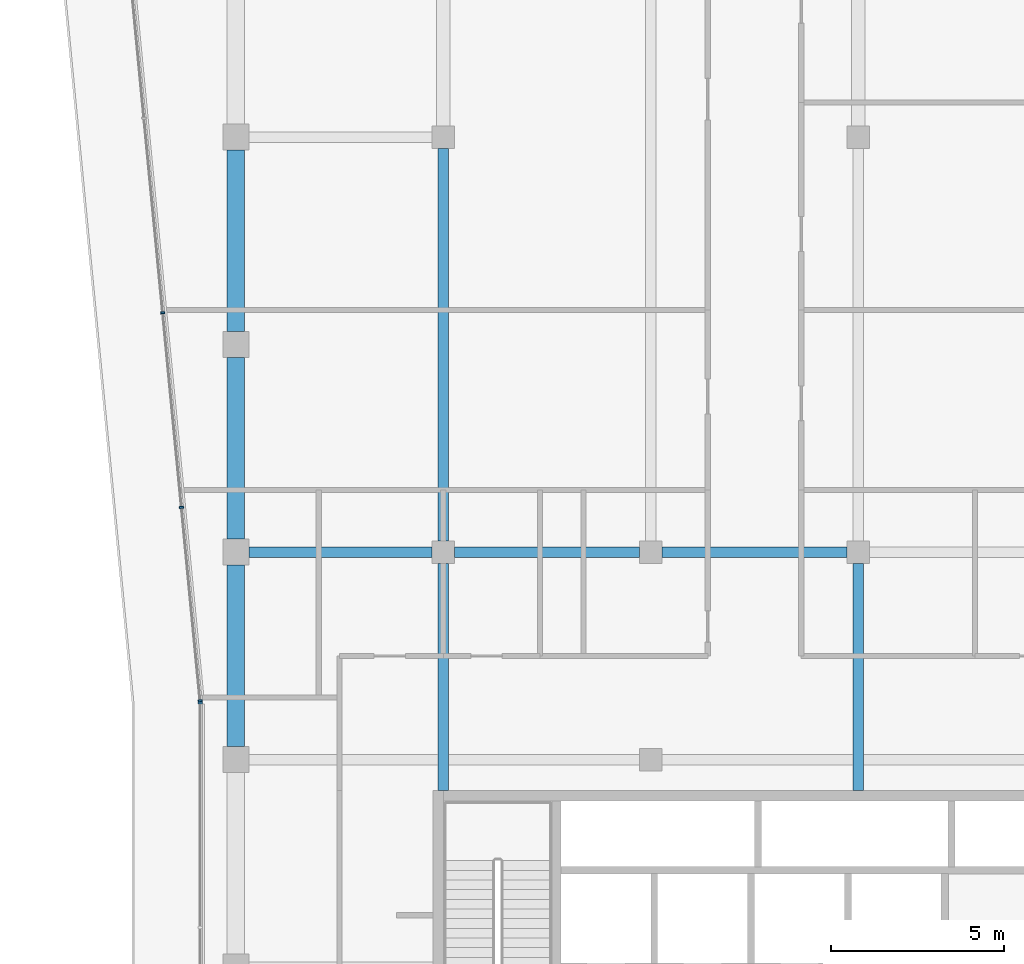
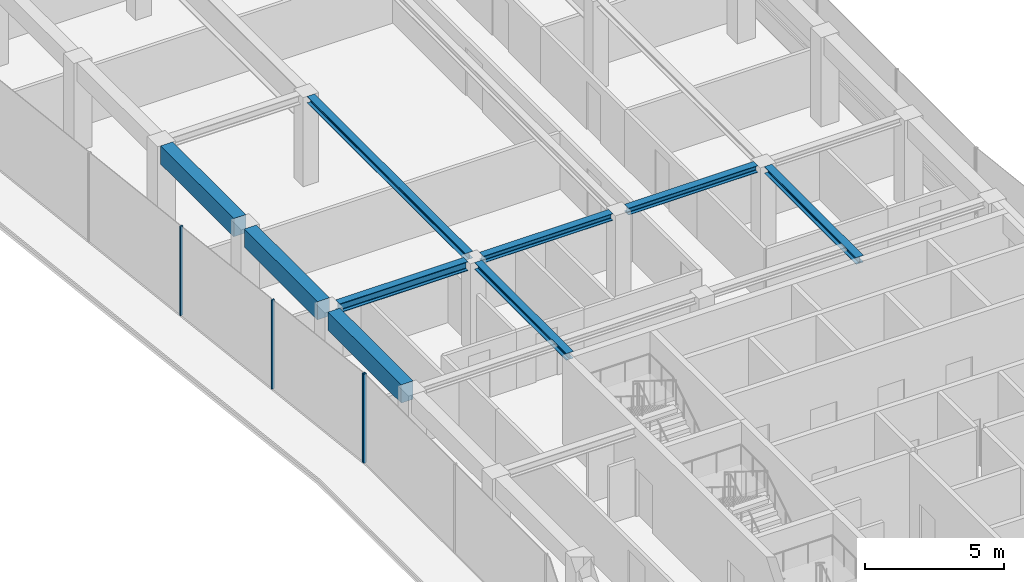
# One storey, part 7 of 22: 9 beams, 4 members, 2 elements without a shape of their own.
"""IFC4 building model written with IfcOpenShell, lengths in metres."""

from ifc_helpers import new_model, si_unit, direction, frame, origin, origin_2d, place, context, subcontext, project, spatial, rectangle, i_section, extrude, material, layer, layer_set, material_profile, profile_set, type_object, element, aggregate, save


model = new_model("IFC4")

# Units and contexts
model_context = context("Model", 3, precision=1e-05, world=origin(), true_north=direction((0.0, 1.0)))
body_context = subcontext(model_context, "Body", "Model", "MODEL_VIEW")
ifc_project = project(units=[si_unit("LENGTHUNIT", "METRE"), si_unit("AREAUNIT", "SQUARE_METRE"), si_unit("VOLUMEUNIT", "CUBIC_METRE"), si_unit("PLANEANGLEUNIT", "RADIAN"), si_unit("MASSUNIT", "GRAM", prefix="KILO")], contexts=[model_context])

# Site, building, storey
site_placement = place(None, origin())
site = spatial("IfcSite", under=ifc_project, at=site_placement, CompositionType="ELEMENT")
building_placement = place(site_placement, origin())
building = spatial("IfcBuilding", under=site, at=building_placement, Name="Welwitschia Terrace Campus", CompositionType="ELEMENT")
storey_placement = place(building_placement, frame((0.0, 0.0, 310.39990234375)))
storey = spatial("IfcBuildingStorey", under=building, at=storey_placement, Name="L69", CompositionType="ELEMENT", Elevation=310.39990234375)

# Beams
ifc_material_1 = material(Name="Steel S355", Category="steel")
ifc_material_profile_1 = material_profile(ifc_material_1, i_section(OverallWidth=0.300048828125, OverallDepth=0.300048828125, WebThickness=0.010986328125, FlangeThickness=0.01904296875, FilletRadius=0.027099609375, at=origin_2d()))
ifc_profile_set_1 = profile_set([ifc_material_profile_1], Name="Steel S355")
beam_type_1 = type_object("IfcBeamType", Name="Interior girder HE 300 B", PredefinedType="BEAM", material=ifc_profile_set_1)
for number, where, z_axis, x_axis, name in (
    (1, (6.325439453125, 32.0, 3.75), (1.0, 0.0, 0.0), (0.0, 1.0, 0.0), "Girder GB6"),
    (2, (12.325439453125, 32.0, 3.75), (1.0, 0.0, 0.0), (0.0, 1.0, 0.0), "Girder GB6"),
):
    element("IfcBeam", number, at=place(storey_placement, frame(where, z_axis=z_axis, x_axis=x_axis)), inside=storey, type_object=beam_type_1, Name=name, PredefinedType="BEAM", context=body_context, shape_type="SweptSolid", body=[
        extrude(i_section(OverallWidth=0.300048828125, OverallDepth=0.300048828125, WebThickness=0.010986328125, FlangeThickness=0.01904296875, FilletRadius=0.027099609375, at=origin_2d()), origin(), (0.0, 0.0, 1.0), 5.34912109375),
    ])
beam_1_placement = place(storey_placement, frame((6.0, 25.10107421875, 3.75), z_axis=(0.0, 1.0, 0.0), x_axis=(-1.0, 0.0, 0.0)))
element("IfcBeam", 3, at=beam_1_placement, inside=storey, type_object=beam_type_1, Name="Girder GB6", PredefinedType="BEAM", context=body_context, shape_type="SweptSolid", body=[
    extrude(i_section(OverallWidth=0.300048828125, OverallDepth=0.300048828125, WebThickness=0.010986328125, FlangeThickness=0.01904296875, FilletRadius=0.027099609375, at=origin_2d()), origin(), (0.0, 0.0, 1.0), 6.573486328125),
])
beam_2_placement = place(storey_placement, frame((6.0, 32.325439453125, 3.75), z_axis=(0.0, 1.0, 0.0), x_axis=(-1.0, 0.0, 0.0)))
element("IfcBeam", 4, at=beam_2_placement, inside=storey, type_object=beam_type_1, Name="Girder GB6", PredefinedType="BEAM", context=body_context, shape_type="SweptSolid", body=[
    extrude(i_section(OverallWidth=0.300048828125, OverallDepth=0.300048828125, WebThickness=0.010986328125, FlangeThickness=0.01904296875, FilletRadius=0.027099609375, at=origin_2d()), origin(), (0.0, 0.0, 1.0), 11.34912109375),
])
beam_3_placement = place(storey_placement, frame((18.0, 25.10107421875, 3.75), z_axis=(0.0, 1.0, 0.0), x_axis=(-1.0, 0.0, 0.0)))
element("IfcBeam", 5, at=beam_3_placement, inside=storey, type_object=beam_type_1, Name="Girder GB6", PredefinedType="BEAM", context=body_context, shape_type="SweptSolid", body=[
    extrude(i_section(OverallWidth=0.300048828125, OverallDepth=0.300048828125, WebThickness=0.010986328125, FlangeThickness=0.01904296875, FilletRadius=0.027099609375, at=origin_2d()), origin(), (0.0, 0.0, 1.0), 6.573486328125),
])

# Curtain wall, member
ifc_material_2 = material(Name="Bronze anodised aluminium", Category="aluminium")
ifc_layer = layer(ifc_material_2, 0.1201171875)
ifc_layer_set = layer_set([ifc_layer], Name="Bronze anodised aluminium")
curtain_wall_type = type_object("IfcCurtainWallType", Name="Curtain wall CW2 tower 6000", PredefinedType="NOTDEFINED", material=ifc_layer_set)
curtain_wall_1_placement = place(storey_placement, origin())
curtain_wall_1 = element("IfcCurtainWall", 6, at=curtain_wall_1_placement, inside=storey, type_object=curtain_wall_type, Name="CW L69.0.0", PredefinedType="NOTDEFINED")
ifc_material_3 = material(Name="Bronze anodised aluminium", Category="aluminium")
ifc_material_profile_2 = material_profile(ifc_material_3, rectangle(XDim=0.1201171875, YDim=0.06005859375, at=origin_2d()))
ifc_profile_set_2 = profile_set([ifc_material_profile_2], Name="Bronze anodised aluminium")
member_type = type_object("IfcMemberType", Name="Mullion 60x120", PredefinedType="MULLION", material=ifc_profile_set_2)
member_1_placement = place(storey_placement, frame((-1.030029296875, 27.637451171875, 0.0), z_axis=(0.0, 0.0, 1.0), x_axis=(1.0, 0.0, 0.0)))
member_1 = element("IfcMember", 7, at=member_1_placement, type_object=member_type, Name="Mullion L69.0.0.0", PredefinedType="MULLION", context=body_context, shape_type="SweptSolid", body=[
    extrude(rectangle(XDim=0.1201171875, YDim=0.06005859375, at=origin_2d()), origin(), (0.0, 0.0, 1.0), 3.900146484375),
])
aggregate(curtain_wall_1, [member_1])

# Curtain wall, members
curtain_wall_2_placement = place(storey_placement, origin())
curtain_wall_2 = element("IfcCurtainWall", 8, at=curtain_wall_2_placement, inside=storey, type_object=curtain_wall_type, Name="CW L69.11.0", PredefinedType="NOTDEFINED")
member_2_placement = place(storey_placement, frame((-2.11376953125, 38.92236328125, 0.0), z_axis=(0.0, 0.0, 1.0), x_axis=(0.995396198367, 0.09584575252, 0.0)))
member_2 = element("IfcMember", 9, at=member_2_placement, type_object=member_type, Name="Mullion L69.11.0.4", PredefinedType="MULLION", context=body_context, shape_type="SweptSolid", body=[
    extrude(rectangle(XDim=0.1201171875, YDim=0.06005859375, at=origin_2d()), origin(), (0.0, 0.0, 1.0), 3.900146484375),
])
member_3_placement = place(storey_placement, frame((-1.57177734375, 33.294921875, 0.0), z_axis=(0.0, 0.0, 1.0), x_axis=(0.995396198367, 0.09584575252, 0.0)))
member_3 = element("IfcMember", 10, at=member_3_placement, type_object=member_type, Name="Mullion L69.11.0.5", PredefinedType="MULLION", context=body_context, shape_type="SweptSolid", body=[
    extrude(rectangle(XDim=0.1201171875, YDim=0.06005859375, at=origin_2d()), origin(), (0.0, 0.0, 1.0), 3.900146484375),
])
member_4_placement = place(storey_placement, frame((-1.032958984375, 27.697265625, 0.0), z_axis=(0.0, 0.0, 1.0), x_axis=(0.995396198367, 0.09584575252, 0.0)))
member_4 = element("IfcMember", 11, at=member_4_placement, type_object=member_type, Name="Mullion L69.11.0.6", PredefinedType="MULLION", context=body_context, shape_type="SweptSolid", body=[
    extrude(rectangle(XDim=0.1201171875, YDim=0.06005859375, at=origin_2d()), origin(), (0.0, 0.0, 1.0), 3.900146484375),
])
aggregate(curtain_wall_2, [member_2, member_3, member_4])

# Beams
ifc_material_4 = material(Name="Steel S355", Category="steel")
ifc_material_profile_3 = material_profile(ifc_material_4, i_section(OverallWidth=0.300048828125, OverallDepth=0.39990234375, WebThickness=0.013427734375, FlangeThickness=0.02392578125, FilletRadius=0.027099609375, at=origin_2d()))
ifc_profile_set_3 = profile_set([ifc_material_profile_3], Name="Steel S355")
beam_type_2 = type_object("IfcBeamType", Name="Primary beam HE 400 B", PredefinedType="BEAM", material=ifc_profile_set_3)
beam_4_placement = place(storey_placement, frame((0.37548828125, 32.0, 3.7001953125), z_axis=(1.0, 0.0, 0.0), x_axis=(0.0, 1.0, 0.0)))
element("IfcBeam", 12, at=beam_4_placement, inside=storey, type_object=beam_type_2, Name="Primary beam PB6", PredefinedType="BEAM", context=body_context, shape_type="SweptSolid", body=[
    extrude(i_section(OverallWidth=0.300048828125, OverallDepth=0.39990234375, WebThickness=0.013427734375, FlangeThickness=0.02392578125, FilletRadius=0.027099609375, at=origin_2d()), origin(), (0.0, 0.0, 1.0), 5.299072265625),
])
ifc_material_5 = material(Name="Concrete C50/60", Category="concrete")
ifc_material_profile_4 = material_profile(ifc_material_5, rectangle(XDim=0.5, YDim=0.800048828125, at=origin_2d()))
ifc_profile_set_4 = profile_set([ifc_material_profile_4], Name="Concrete C50/60")
beam_type_3 = type_object("IfcBeamType", Name="Ring spandrel 500x800", PredefinedType="SPANDREL", material=ifc_profile_set_4)
for number, where, z_axis, x_axis, name in (
    (13, (0.0, 43.62451171875, 3.5), (0.0, -1.0, 0.0), (1.0, 0.0, 0.0), "Spandrel SP4"),
    (14, (0.0, 37.62451171875, 3.5), (0.0, -1.0, 0.0), (1.0, 0.0, 0.0), "Spandrel SP4"),
    (15, (0.0, 31.62451171875, 3.5), (0.0, -1.0, 0.0), (1.0, 0.0, 0.0), "Spandrel SP4"),
):
    element("IfcBeam", number, at=place(storey_placement, frame(where, z_axis=z_axis, x_axis=x_axis)), inside=storey, type_object=beam_type_3, Name=name, PredefinedType="SPANDREL", context=body_context, shape_type="SweptSolid", body=[
        extrude(rectangle(XDim=0.5, YDim=0.800048828125, at=origin_2d()), origin(), (0.0, 0.0, 1.0), 5.2490234375),
    ])

save(model, "model.ifc")
